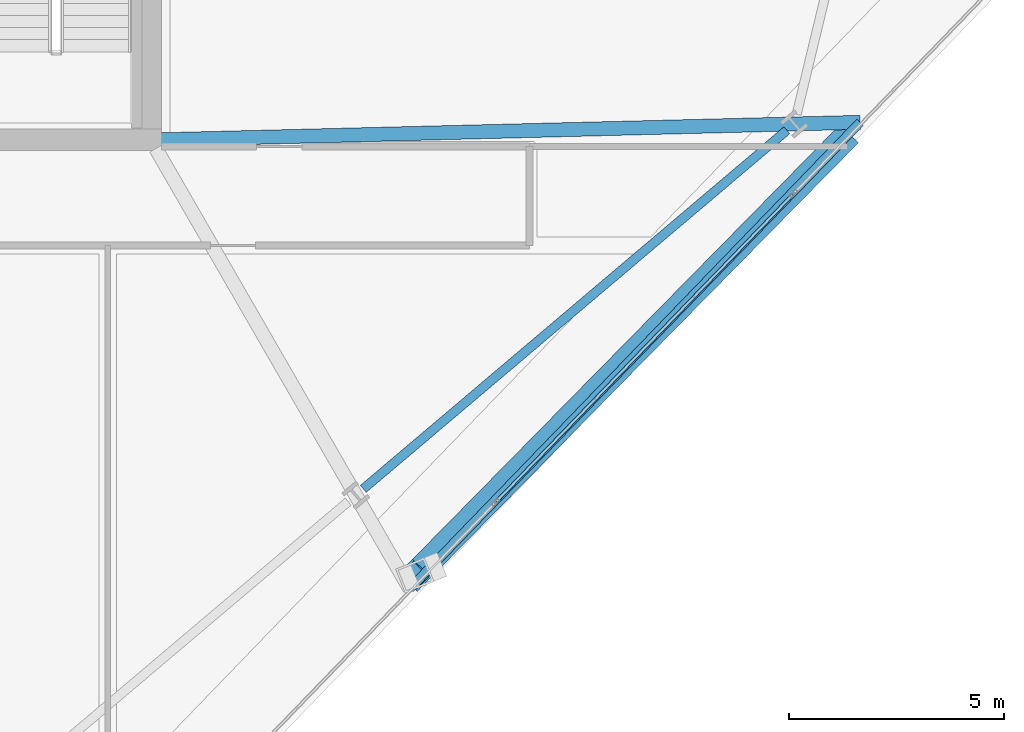
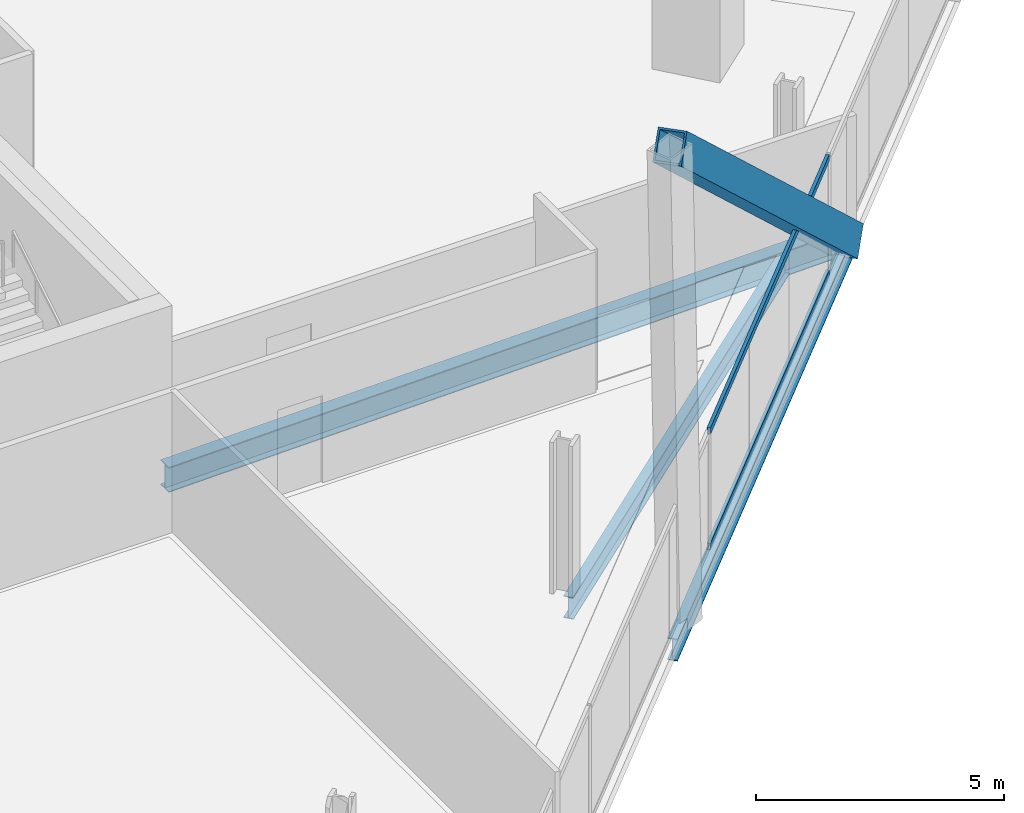
# One storey, part 10 of 33: 3 beams, 3 members, 1 element without a shape of its own.
"""IFC4 building model written with IfcOpenShell, lengths in metres."""

from ifc_helpers import new_model, si_unit, direction, frame, origin, origin_2d, place, context, subcontext, project, spatial, hollow_rectangle, i_section, extrude, material, material_profile, profile_set, type_object, element, aggregate, save


model = new_model("IFC4")

# Units and contexts
model_context = context("Model", 3, precision=1e-05, world=origin(), true_north=direction((0.0, 1.0)))
body_context = subcontext(model_context, "Body", "Model", "MODEL_VIEW")
ifc_project = project(units=[si_unit("LENGTHUNIT", "METRE"), si_unit("AREAUNIT", "SQUARE_METRE"), si_unit("VOLUMEUNIT", "CUBIC_METRE"), si_unit("PLANEANGLEUNIT", "RADIAN"), si_unit("MASSUNIT", "GRAM", prefix="KILO")], contexts=[model_context])

# Site, building, storey
site_placement = place(None, origin())
site = spatial("IfcSite", under=ifc_project, at=site_placement, CompositionType="ELEMENT")
building_placement = place(site_placement, origin())
building = spatial("IfcBuilding", under=site, at=building_placement, Name="Haldenkirk Collegiate Tower", CompositionType="ELEMENT")
storey_placement = place(building_placement, frame((0.0, 0.0, 181.949951171875)))
storey = spatial("IfcBuildingStorey", under=building, at=storey_placement, Name="L45", CompositionType="ELEMENT", Elevation=181.949951171875)

# Beams
ifc_material_1 = material(Name="Steel ASTM A992 Grade 50", Category="steel")
ifc_material_profile_1 = material_profile(ifc_material_1, i_section(OverallWidth=0.324951171875, OverallDepth=0.615966796875, WebThickness=0.013916015625, FlangeThickness=0.021484375, at=origin_2d()), Name="W24X117")
ifc_profile_set_1 = profile_set([ifc_material_profile_1], Name="Steel ASTM A992 Grade 50")
beam_type_1 = type_object("IfcBeamType", Name="BM-GIRDER-W24X117", PredefinedType="BEAM", material=ifc_profile_set_1)
beam_1_placement = place(storey_placement, frame((61.486083984375, 18.410888671875, -0.597900390625), z_axis=(-0.999689378878, -0.024922795959, 0.0), x_axis=(0.024922795959, -0.999689378878, 0.0)))
element("IfcBeam", 1, at=beam_1_placement, inside=storey, type_object=beam_type_1, Name="L45 primary floor girder 07", PredefinedType="BEAM", context=body_context, shape_type="SweptSolid", body=[
    extrude(i_section(OverallWidth=0.324951171875, OverallDepth=0.615966796875, WebThickness=0.013916015625, FlangeThickness=0.021484375, at=origin_2d()), origin(), (0.0, 0.0, 1.0), 16.26123046875),
])
ifc_material_profile_2 = material_profile(ifc_material_1, i_section(OverallWidth=0.2119140625, OverallDepth=0.5439453125, WebThickness=0.01318359375, FlangeThickness=0.021240234375, at=origin_2d()), Name="W21X83")
ifc_profile_set_2 = profile_set([ifc_material_profile_2], Name="Steel ASTM A992 Grade 50")
beam_type_2 = type_object("IfcBeamType", Name="BM-SPANDREL-W21X83", PredefinedType="SPANDREL", material=ifc_profile_set_2)
beam_2_placement = place(storey_placement, frame((49.937255859375, 9.89111328125, -0.56201171875), z_axis=(0.763233335078, 0.646122957514, 0.0), x_axis=(-0.646122957514, 0.763233335078, 0.0)))
element("IfcBeam", 2, at=beam_2_placement, inside=storey, type_object=beam_type_2, Name="L45 perimeter spandrel beam 03", PredefinedType="SPANDREL", context=body_context, shape_type="SweptSolid", body=[
    extrude(i_section(OverallWidth=0.2119140625, OverallDepth=0.5439453125, WebThickness=0.01318359375, FlangeThickness=0.021240234375, at=origin_2d()), origin(), (0.0, 0.0, 1.0), 12.898193359375),
])
beam_3_placement = place(storey_placement, frame((51.016357421875, 7.569091796875, -0.56201171875), z_axis=(0.694655796275, 0.71934228619, 0.0), x_axis=(-0.71934228619, 0.694655796275, 0.0)))
element("IfcBeam", 3, at=beam_3_placement, inside=storey, type_object=beam_type_2, Name="L45 outer facade edge beam 1", PredefinedType="SPANDREL", context=body_context, shape_type="SweptSolid", body=[
    extrude(i_section(OverallWidth=0.2119140625, OverallDepth=0.5439453125, WebThickness=0.01318359375, FlangeThickness=0.021240234375, at=origin_2d()), origin(), (0.0, 0.0, 1.0), 15.07177734375),
])

# Curtain wall, members
ifc_material_2 = material(Name="Anodised architectural bronze aluminium", Category="aluminium")
curtain_wall_type = type_object("IfcCurtainWallType", Name="CW-SYS2-CONCAVE", PredefinedType="USERDEFINED", material=ifc_material_2)
curtain_wall_placement = place(storey_placement, origin())
curtain_wall = element("IfcCurtainWall", 4, at=curtain_wall_placement, inside=storey, type_object=curtain_wall_type, Name="L45 South concave recessed bronze-anodised curtain wall", ObjectType="UNITISED CURTAIN WALL", PredefinedType="USERDEFINED")
ifc_material_profile_3 = material_profile(ifc_material_2, hollow_rectangle(XDim=0.074951171875, YDim=0.159912109375, WallThickness=0.0048828125, at=origin_2d()), Name="CW-TRN-02")
ifc_profile_set_3 = profile_set([ifc_material_profile_3], Name="Anodised architectural bronze aluminium")
member_type_1 = type_object("IfcMemberType", Name="CW-TRN-02", PredefinedType="USERDEFINED", material=ifc_profile_set_3)
member_1_placement = place(storey_placement, frame((59.911865234375, 16.72314453125, 0.03759765625), z_axis=(-0.694656126162, -0.719341967624, 0.0), x_axis=(0.719341967624, -0.694656126162, 0.0)))
member_1 = element("IfcMember", 5, at=member_1_placement, type_object=member_type_1, Name="CW-02 transom 2.1", ObjectType="TRANSOM", PredefinedType="USERDEFINED", context=body_context, shape_type="SweptSolid", body=[
    extrude(hollow_rectangle(XDim=0.074951171875, YDim=0.159912109375, WallThickness=0.0048828125, at=origin_2d()), origin(), (0.0, 0.0, 1.0), 9.89990234375),
])
member_2_placement = place(storey_placement, frame((59.911865234375, 16.72314453125, 2.87353515625), z_axis=(-0.694656126162, -0.719341967624, 0.0), x_axis=(0.719341967624, -0.694656126162, 0.0)))
member_2 = element("IfcMember", 6, at=member_2_placement, type_object=member_type_1, Name="CW-02 transom 2.2", ObjectType="TRANSOM", PredefinedType="USERDEFINED", context=body_context, shape_type="SweptSolid", body=[
    extrude(hollow_rectangle(XDim=0.074951171875, YDim=0.159912109375, WallThickness=0.0048828125, at=origin_2d()), origin(), (0.0, 0.0, 1.0), 9.89990234375),
])
aggregate(curtain_wall, [member_1, member_2])

# Member
ifc_material_3 = material(Name="Steel ASTM A572 Grade 50", Category="steel")
ifc_material_profile_4 = material_profile(ifc_material_3, hollow_rectangle(XDim=0.60009765625, YDim=0.719970703125, WallThickness=0.044921875, at=origin_2d()), Name="BOX720X600X45")
ifc_profile_set_4 = profile_set([ifc_material_profile_4], Name="Steel ASTM A572 Grade 50")
member_type_2 = type_object("IfcMemberType", Name="MBR-MEGABRACE-BOX720X600X45", PredefinedType="BRACE", material=ifc_profile_set_4)
member_3_placement = place(storey_placement, frame((61.0693359375, 17.979248046875, -0.300048828125), z_axis=(-0.537320706483, -0.546221248551, 0.642595367254), x_axis=(0.71289111995, -0.701274732966, 0.0)))
element("IfcMember", 7, at=member_3_placement, inside=storey, type_object=member_type_2, Name="Perimeter Mega Brace Z3 L45-L47 SR", PredefinedType="BRACE", context=body_context, shape_type="SweptSolid", body=[
    extrude(hollow_rectangle(XDim=0.60009765625, YDim=0.719970703125, WallThickness=0.044921875, at=origin_2d()), origin(), (0.0, 0.0, 1.0), 18.48779296875),
])

save(model, "model.ifc")
